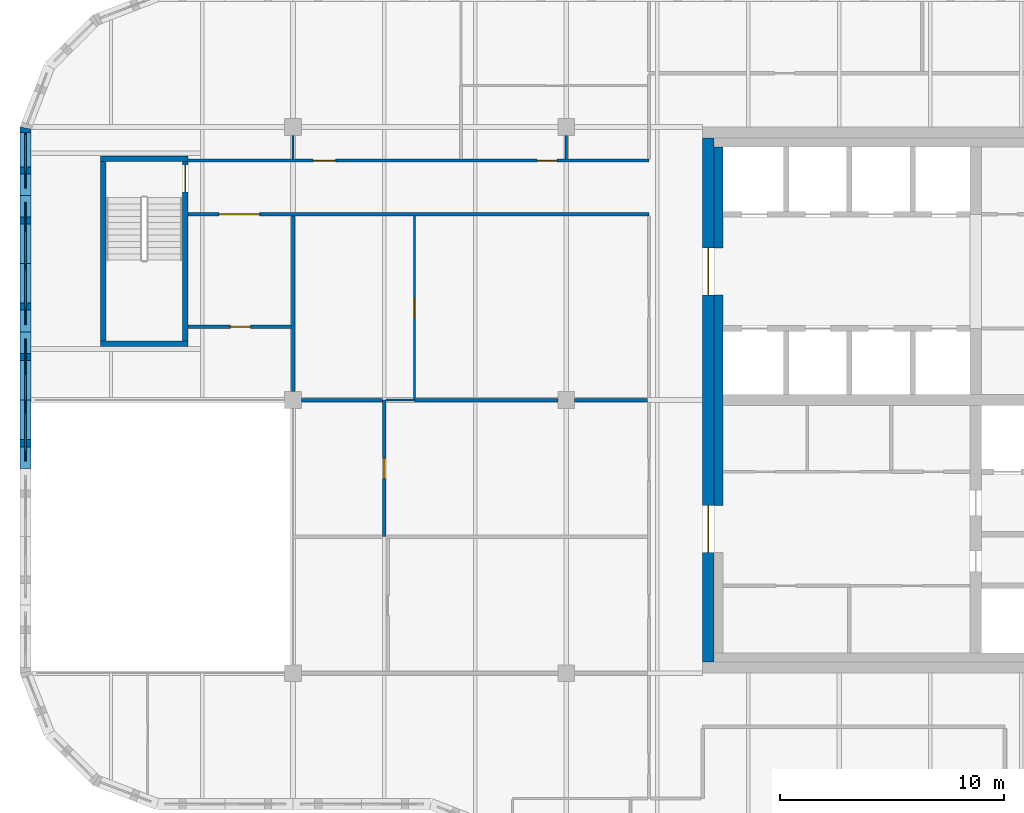
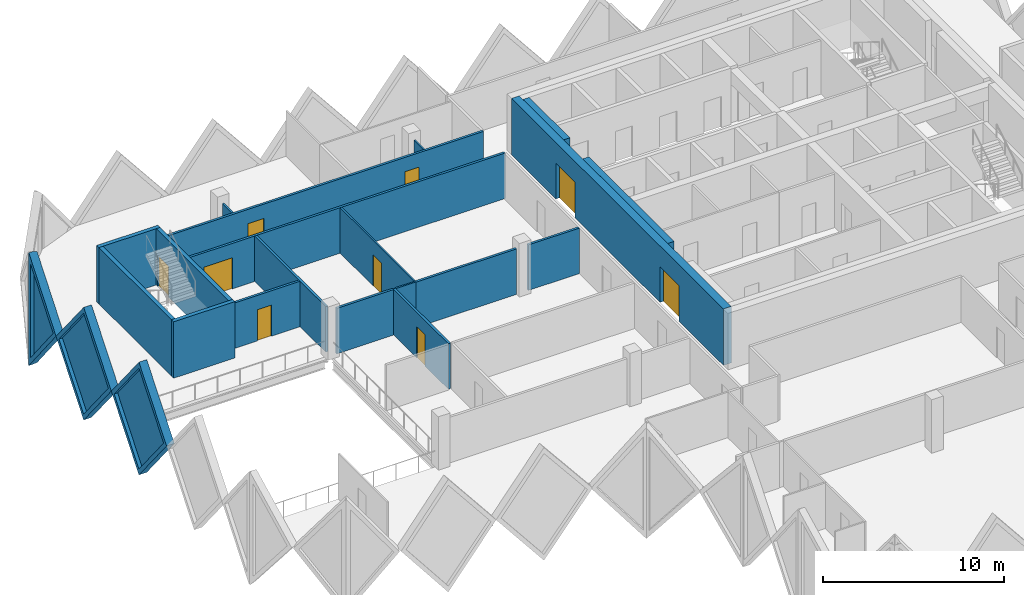
# One storey, part 7 of 12: 22 walls, 9 doors, 3 plates, 12 openings.
"""IFC4 building model written with IfcOpenShell, lengths in metres."""

from ifc_helpers import new_model, si_unit, direction, frame, frame_2d, origin, place, context, subcontext, project, spatial, polyline, rectangle, outline, extrude, faceted_brep, source, transform, mapped, material, layer, layer_set, type_object, element, fill, save


model = new_model("IFC4")

# Units and contexts
model_context = context("Model", 3, precision=1e-05, world=origin(), true_north=direction((0.0, 1.0)))
body_context = subcontext(model_context, "Body", "Model", "MODEL_VIEW")
ifc_project = project(units=[si_unit("LENGTHUNIT", "METRE"), si_unit("AREAUNIT", "SQUARE_METRE"), si_unit("VOLUMEUNIT", "CUBIC_METRE"), si_unit("PLANEANGLEUNIT", "RADIAN"), si_unit("MASSUNIT", "GRAM", prefix="KILO")], contexts=[model_context])

# Site, building, storey
site_placement = place(None, origin())
site = spatial("IfcSite", under=ifc_project, at=site_placement, CompositionType="ELEMENT")
building_placement = place(site_placement, origin())
building = spatial("IfcBuilding", under=site, at=building_placement, Name="Tessera Gate Towers", CompositionType="ELEMENT")
storey_placement = place(building_placement, frame((0.0, 0.0, 216.89990234375)))
storey = spatial("IfcBuildingStorey", under=building, at=storey_placement, Name="L54", CompositionType="ELEMENT", Elevation=216.89990234375)

# Walls
ifc_material_1 = material(Name="Concrete C40/50", Category="concrete")
ifc_layer_1 = layer(ifc_material_1, 0.25)
ifc_layer_set_1 = layer_set([ifc_layer_1], Name="CORE ENCLOSURE WALL 250")
wall_type_1 = type_object("IfcWallType", Name="CORE ENCLOSURE WALL 250", PredefinedType="SOLIDWALL", material=ifc_layer_set_1)
wall_1_placement = place(storey_placement, frame((7.5, 39.125, 0.0), z_axis=(0.0, 0.0, 1.0), x_axis=(-1.0, 0.0, 0.0)))
element("IfcWall", 1, at=wall_1_placement, inside=storey, type_object=wall_type_1, Name="L54 ST3 enclosure wall", PredefinedType="SOLIDWALL", context=body_context, shape_type="SweptSolid", body=[
    extrude(rectangle(XDim=3.89990234375, YDim=0.25, at=frame_2d((1.949951171875, 0.0))), origin(), (0.0, 0.0, 1.0), 3.800048828125),
])
wall_2_placement = place(storey_placement, frame((3.72509765625, 39.25, 0.0), z_axis=(0.0, 0.0, 1.0), x_axis=(0.0, 1.0, 0.0)))
element("IfcWall", 2, at=wall_2_placement, inside=storey, type_object=wall_type_1, Name="L54 ST3 enclosure wall", PredefinedType="SOLIDWALL", context=body_context, shape_type="SweptSolid", body=[
    extrude(rectangle(XDim=8.0, YDim=0.25, at=frame_2d((4.0, 0.0))), origin(), (0.0, 0.0, 1.0), 3.800048828125),
])
wall_3_placement = place(storey_placement, frame((3.60009765625, 47.375, 0.0), z_axis=(0.0, 0.0, 1.0), x_axis=(1.0, 0.0, 0.0)))
element("IfcWall", 3, at=wall_3_placement, inside=storey, type_object=wall_type_1, Name="L54 ST3 enclosure wall", PredefinedType="SOLIDWALL", context=body_context, shape_type="SweptSolid", body=[
    extrude(rectangle(XDim=3.89990234375, YDim=0.25, at=frame_2d((1.949951171875, 0.0))), origin(), (0.0, 0.0, 1.0), 3.800048828125),
])

# Wall, opening, door
wall_4_placement = place(storey_placement, frame((7.375, 47.25, 0.0), z_axis=(0.0, 0.0, 1.0), x_axis=(0.0, -1.0, 0.0)))
wall_4 = element("IfcWall", 4, at=wall_4_placement, inside=storey, type_object=wall_type_1, Name="L54 ST3 enclosure wall", PredefinedType="SOLIDWALL", context=body_context, shape_type="SweptSolid", body=[
    extrude(rectangle(XDim=8.0, YDim=0.25, at=frame_2d((4.0, 0.0))), origin(), (0.0, 0.0, 1.0), 3.800048828125),
])
shared_shape_1 = source(origin(), body_context, "Body", "SweptSolid", [
    extrude(rectangle(XDim=1.199951171875, YDim=2.10009765625, at=frame_2d((0.60009765625, 1.050048828125))), frame((0.0, 0.135009765625, 0.0), z_axis=(0.0, -1.0, 0.0), x_axis=(1.0, 0.0, 0.0)), (0.0, 0.0, 1.0), 0.27001953125),
])
opening_1_placement = place(wall_4_placement, frame((0.14990234375, 0.0, 0.0)))
opening_1 = element("IfcOpeningElement", 5, at=opening_1_placement, cuts=wall_4, Name="Opening SD-ST3-1", PredefinedType="OPENING", context=body_context, shape_type="MappedRepresentation", body=[
    mapped(shared_shape_1, transform((0.0, 0.0, 0.0), scale=1.0)),
])
ifc_material_2 = material(Name="Hollow steel fire door", Category="steel")
door_type_1 = type_object("IfcDoorType", Name="CORE DOOR SD 1200x2100", OperationType="NOTDEFINED", PredefinedType="DOOR", material=ifc_material_2)
shared_shape_2 = source(origin(), body_context, "Body", "SweptSolid", [
    extrude(rectangle(XDim=1.199951171875, YDim=2.10009765625, at=frame_2d((0.60009765625, 1.050048828125))), frame((0.0, 0.02490234375, 0.0), z_axis=(0.0, -1.0, 0.0), x_axis=(1.0, 0.0, 0.0)), (0.0, 0.0, 1.0), 0.050048828125),
])
door_1_placement = place(opening_1_placement, origin())
door_1 = element("IfcDoor", 6, at=door_1_placement, inside=storey, type_object=door_type_1, Name="Stair door", OperationType="SINGLE_SWING_LEFT", OverallHeight=2.10009765625, OverallWidth=1.199951171875, PredefinedType="DOOR", context=body_context, shape_type="MappedRepresentation", body=[
    mapped(shared_shape_2, transform((0.0, 0.0, 0.0), scale=1.0)),
])
fill(opening_1, door_1)

# Wall, openings, doors
ifc_material_3 = material(Name="Concrete C50/60", Category="concrete")
ifc_layer_2 = layer(ifc_material_3, 0.5)
ifc_layer_set_2 = layer_set([ifc_layer_2], Name="CORE SHEAR WALL 500 C50/60")
wall_type_2 = type_object("IfcWallType", Name="CORE SHEAR WALL 500 C50/60", PredefinedType="SHEAR", material=ifc_layer_set_2)
wall_5_placement = place(storey_placement, frame((30.75, 24.89990234375, 0.0), z_axis=(0.0, 0.0, 1.0), x_axis=(0.0, 1.0, 0.0)))
wall_5 = element("IfcWall", 7, at=wall_5_placement, inside=storey, type_object=wall_type_2, Name="Core wall W L54", PredefinedType="SHEAR", context=body_context, shape_type="SweptSolid", body=[
    extrude(rectangle(XDim=23.400146484375, YDim=0.5, at=frame_2d((11.7001953125, 0.0))), origin(), (0.0, 0.0, 1.0), 3.800048828125),
])
shared_shape_3 = source(origin(), body_context, "Body", "SweptSolid", [
    extrude(rectangle(XDim=2.10009765625, YDim=2.39990234375, at=frame_2d((1.050048828125, 1.199951171875))), frame((0.0, 0.260009765625, 0.0), z_axis=(0.0, -1.0, 0.0), x_axis=(1.0, 0.0, 0.0)), (0.0, 0.0, 1.0), 0.52001953125),
])
opening_2_placement = place(wall_5_placement, frame((4.89990234375, 0.0, 0.0)))
opening_2 = element("IfcOpeningElement", 8, at=opening_2_placement, cuts=wall_5, Name="Opening DD-T1-33-02", PredefinedType="OPENING", context=body_context, shape_type="MappedRepresentation", body=[
    mapped(shared_shape_3, transform((0.0, 0.0, 0.0), scale=1.0)),
])
opening_3_placement = place(wall_5_placement, frame((16.39990234375, 0.0, 0.0)))
opening_3 = element("IfcOpeningElement", 9, at=opening_3_placement, cuts=wall_5, Name="Opening DD-T1-33-03", PredefinedType="OPENING", context=body_context, shape_type="MappedRepresentation", body=[
    mapped(shared_shape_3, transform((0.0, 0.0, 0.0), scale=1.0)),
])
ifc_material_4 = material(Name="Hollow steel fire door", Category="steel")
door_type_2 = type_object("IfcDoorType", Name="CORE DOOR DD 2100x2400", OperationType="NOTDEFINED", PredefinedType="DOOR", material=ifc_material_4)
shared_shape_4 = source(origin(), body_context, "Body", "SweptSolid", [
    extrude(rectangle(XDim=2.10009765625, YDim=2.39990234375, at=frame_2d((1.050048828125, 1.199951171875))), frame((0.0, 0.02490234375, 0.0), z_axis=(0.0, -1.0, 0.0), x_axis=(1.0, 0.0, 0.0)), (0.0, 0.0, 1.0), 0.050048828125),
])
door_2_placement = place(opening_2_placement, origin())
door_2 = element("IfcDoor", 10, at=door_2_placement, inside=storey, type_object=door_type_2, Name="Core entrance door", OperationType="DOUBLE_DOOR_SINGLE_SWING", OverallHeight=2.39990234375, OverallWidth=2.10009765625, PredefinedType="DOOR", context=body_context, shape_type="MappedRepresentation", body=[
    mapped(shared_shape_4, transform((0.0, 0.0, 0.0), scale=1.0)),
])
fill(opening_2, door_2)
door_3_placement = place(opening_3_placement, origin())
door_3 = element("IfcDoor", 11, at=door_3_placement, inside=storey, type_object=door_type_2, Name="Core entrance door", OperationType="DOUBLE_DOOR_SINGLE_SWING", OverallHeight=2.39990234375, OverallWidth=2.10009765625, PredefinedType="DOOR", context=body_context, shape_type="MappedRepresentation", body=[
    mapped(shared_shape_4, transform((0.0, 0.0, 0.0), scale=1.0)),
])
fill(opening_3, door_3)

# Walls
ifc_material_5 = material(Name="Concrete C50/60", Category="concrete")
ifc_layer_3 = layer(ifc_material_5, 0.39990234375)
ifc_layer_set_3 = layer_set([ifc_layer_3], Name="CORE WALL THICKENING 400")
wall_type_3 = type_object("IfcWallType", Name="CORE WALL THICKENING 400", PredefinedType="SOLIDWALL", material=ifc_layer_set_3)
wall_6_placement = place(storey_placement, frame((31.199951171875, 31.89990234375, 0.0), z_axis=(0.0, 0.0, 1.0), x_axis=(0.0, 1.0, 0.0)))
element("IfcWall", 12, at=wall_6_placement, inside=storey, type_object=wall_type_3, Name="Core wall thickening W L54", PredefinedType="SOLIDWALL", context=body_context, shape_type="SweptSolid", body=[
    extrude(rectangle(XDim=9.400146484375, YDim=0.39990234375, at=frame_2d((4.7001953125, 0.0))), origin(), (0.0, 0.0, 1.0), 3.800048828125),
])
wall_7_placement = place(storey_placement, frame((31.199951171875, 43.39990234375, 0.0), z_axis=(0.0, 0.0, 1.0), x_axis=(0.0, 1.0, 0.0)))
element("IfcWall", 13, at=wall_7_placement, inside=storey, type_object=wall_type_3, Name="Core wall thickening W L54", PredefinedType="SOLIDWALL", context=body_context, shape_type="SweptSolid", body=[
    extrude(rectangle(XDim=4.5, YDim=0.39990234375, at=frame_2d((2.25, 0.0))), origin(), (0.0, 0.0, 1.0), 3.800048828125),
])

# Wall, opening, door
ifc_material_6 = material(Name="Gypsum board on steel studs, mineral wool", Category="steel")
ifc_layer_4 = layer(ifc_material_6, 0.14990234375)
ifc_layer_set_4 = layer_set([ifc_layer_4], Name="CORRIDOR WALL 150")
wall_type_4 = type_object("IfcWallType", Name="CORRIDOR WALL 150", PredefinedType="PARTITIONING", material=ifc_layer_set_4)
wall_8_placement = place(storey_placement, frame((28.10009765625, 44.89990234375, 0.0), z_axis=(0.0, 0.0, 1.0), x_axis=(-1.0, 0.0, 0.0)))
wall_8 = element("IfcWall", 14, at=wall_8_placement, inside=storey, type_object=wall_type_4, Name="T1-L54-PW-045", PredefinedType="PARTITIONING", context=body_context, shape_type="SweptSolid", body=[
    extrude(rectangle(XDim=20.60009765625, YDim=0.14990234375, at=frame_2d((10.300048828125, 0.0))), origin(), (0.0, 0.0, 1.0), 3.067138671875),
])
shared_shape_5 = source(origin(), body_context, "Body", "SweptSolid", [
    extrude(rectangle(XDim=1.800048828125, YDim=2.10009765625, at=frame_2d((0.89990234375, 1.050048828125))), frame((0.0, 0.0849609375, 0.0), z_axis=(0.0, -1.0, 0.0), x_axis=(1.0, 0.0, 0.0)), (0.0, 0.0, 1.0), 0.169921875),
])
opening_4_placement = place(wall_8_placement, frame((17.39990234375, 0.0, 0.0)))
opening_4 = element("IfcOpeningElement", 15, at=opening_4_placement, cuts=wall_8, Name="Opening D2180FD60-A19-01", PredefinedType="OPENING", context=body_context, shape_type="MappedRepresentation", body=[
    mapped(shared_shape_5, transform((0.0, 0.0, 0.0), scale=1.0)),
])
ifc_material_7 = material(Name="Timber door leaf in steel frame", Category="steel")
door_type_3 = type_object("IfcDoorType", Name="TENANCY ENTRANCE DOUBLE DOOR 1800 FD60", OperationType="NOTDEFINED", PredefinedType="DOOR", material=ifc_material_7)
shared_shape_6 = source(origin(), body_context, "Body", "SweptSolid", [
    extrude(rectangle(XDim=1.800048828125, YDim=2.10009765625, at=frame_2d((0.89990234375, 1.050048828125))), frame((0.0, 0.02490234375, 0.0), z_axis=(0.0, -1.0, 0.0), x_axis=(1.0, 0.0, 0.0)), (0.0, 0.0, 1.0), 0.050048828125),
])
door_4_placement = place(opening_4_placement, origin())
door_4 = element("IfcDoor", 16, at=door_4_placement, inside=storey, type_object=door_type_3, Name="T1-L54-PD-006", OperationType="DOUBLE_DOOR_SINGLE_SWING", OverallHeight=2.10009765625, OverallWidth=1.800048828125, PredefinedType="DOOR", context=body_context, shape_type="MappedRepresentation", body=[
    mapped(shared_shape_6, transform((0.0, 0.0, 0.0), scale=1.0)),
])
fill(opening_4, door_4)

# Wall, openings, doors
wall_9_placement = place(storey_placement, frame((7.5, 47.300048828125, 0.0), z_axis=(0.0, 0.0, 1.0), x_axis=(1.0, 0.0, 0.0)))
wall_9 = element("IfcWall", 17, at=wall_9_placement, inside=storey, type_object=wall_type_4, Name="T1-L54-PW-046", PredefinedType="PARTITIONING", context=body_context, shape_type="SweptSolid", body=[
    extrude(rectangle(XDim=20.60009765625, YDim=0.14990234375, at=frame_2d((10.300048828125, 0.0))), origin(), (0.0, 0.0, 1.0), 3.067138671875),
])
shared_shape_7 = source(origin(), body_context, "Body", "SweptSolid", [
    extrude(rectangle(XDim=0.89990234375, YDim=2.10009765625, at=frame_2d((0.449951171875, 1.050048828125))), frame((0.0, 0.0849609375, 0.0), z_axis=(0.0, -1.0, 0.0), x_axis=(1.0, 0.0, 0.0)), (0.0, 0.0, 1.0), 0.169921875),
])
opening_5_placement = place(wall_9_placement, frame((15.60107421875, 0.0, 0.0)))
opening_5 = element("IfcOpeningElement", 18, at=opening_5_placement, cuts=wall_9, Name="Opening D890FD60-A19-05", PredefinedType="OPENING", context=body_context, shape_type="MappedRepresentation", body=[
    mapped(shared_shape_7, transform((0.0, 0.0, 0.0), scale=1.0)),
])
shared_shape_8 = source(origin(), body_context, "Body", "SweptSolid", [
    extrude(rectangle(XDim=1.0, YDim=2.10009765625, at=frame_2d((0.5, 1.050048828125))), frame((0.0, 0.0849609375, 0.0), z_axis=(0.0, -1.0, 0.0), x_axis=(1.0, 0.0, 0.0)), (0.0, 0.0, 1.0), 0.169921875),
])
opening_6_placement = place(wall_9_placement, frame((5.60009765625, 0.0, 0.0)))
opening_6 = element("IfcOpeningElement", 19, at=opening_6_placement, cuts=wall_9, Name="Opening D2100FD60-A19-03", PredefinedType="OPENING", context=body_context, shape_type="MappedRepresentation", body=[
    mapped(shared_shape_8, transform((0.0, 0.0, 0.0), scale=1.0)),
])
ifc_material_8 = material(Name="Timber door leaf in steel frame", Category="steel")
door_type_4 = type_object("IfcDoorType", Name="CORRIDOR DOOR 900 FD60", OperationType="NOTDEFINED", PredefinedType="DOOR", material=ifc_material_8)
shared_shape_9 = source(origin(), body_context, "Body", "SweptSolid", [
    extrude(rectangle(XDim=0.89990234375, YDim=2.10009765625, at=frame_2d((0.449951171875, 1.050048828125))), frame((0.0, 0.02490234375, 0.0), z_axis=(0.0, -1.0, 0.0), x_axis=(1.0, 0.0, 0.0)), (0.0, 0.0, 1.0), 0.050048828125),
])
door_5_placement = place(opening_5_placement, origin())
door_5 = element("IfcDoor", 20, at=door_5_placement, inside=storey, type_object=door_type_4, Name="T1-L54-PD-020", OperationType="SINGLE_SWING_RIGHT", OverallHeight=2.10009765625, OverallWidth=0.89990234375, PredefinedType="DOOR", context=body_context, shape_type="MappedRepresentation", body=[
    mapped(shared_shape_9, transform((0.0, 0.0, 0.0), scale=1.0)),
])
fill(opening_5, door_5)
ifc_material_9 = material(Name="Timber door leaf in steel frame", Category="steel")
door_type_5 = type_object("IfcDoorType", Name="TENANCY ENTRANCE DOOR 1000 FD60", OperationType="NOTDEFINED", PredefinedType="DOOR", material=ifc_material_9)
shared_shape_10 = source(origin(), body_context, "Body", "SweptSolid", [
    extrude(rectangle(XDim=1.0, YDim=2.10009765625, at=frame_2d((0.5, 1.050048828125))), frame((0.0, 0.02490234375, 0.0), z_axis=(0.0, -1.0, 0.0), x_axis=(1.0, 0.0, 0.0)), (0.0, 0.0, 1.0), 0.050048828125),
])
door_6_placement = place(opening_6_placement, origin())
door_6 = element("IfcDoor", 21, at=door_6_placement, inside=storey, type_object=door_type_5, Name="T1-L54-PD-025", OperationType="SINGLE_SWING_LEFT", OverallHeight=2.10009765625, OverallWidth=1.0, PredefinedType="DOOR", context=body_context, shape_type="MappedRepresentation", body=[
    mapped(shared_shape_10, transform((0.0, 0.0, 0.0), scale=1.0)),
])
fill(opening_6, door_6)

# Wall
ifc_material_10 = material(Name="Glass", Category="glass")
ifc_layer_5 = layer(ifc_material_10, 0.10009765625)
ifc_layer_set_5 = layer_set([ifc_layer_5], Name="GLAZED PARTITION 100")
wall_type_5 = type_object("IfcWallType", Name="GLAZED PARTITION 100", PredefinedType="PARTITIONING", material=ifc_layer_set_5)
wall_10_placement = place(storey_placement, frame((16.35107421875, 36.60009765625, 0.0), z_axis=(0.0, 0.0, 1.0), x_axis=(1.0, 0.0, 0.0)))
element("IfcWall", 22, at=wall_10_placement, inside=storey, type_object=wall_type_5, Name="T1-L54-PW-039", PredefinedType="PARTITIONING", context=body_context, shape_type="SweptSolid", body=[
    extrude(rectangle(XDim=1.27294921875, YDim=0.10009765625, at=frame_2d((0.636474609375, 0.0))), origin(), (0.0, 0.0, 1.0), 3.067138671875),
])

# Wall, opening, door
wall_11_placement = place(storey_placement, frame((17.625, 36.676025390625, 0.0), z_axis=(0.0, 0.0, 1.0), x_axis=(0.0, 1.0, 0.0)))
wall_11 = element("IfcWall", 23, at=wall_11_placement, inside=storey, type_object=wall_type_5, Name="T1-L54-PW-042", PredefinedType="PARTITIONING", context=body_context, shape_type="SweptSolid", body=[
    extrude(rectangle(XDim=8.14794921875, YDim=0.10009765625, at=frame_2d((4.073974609375, 0.0))), origin(), (0.0, 0.0, 1.0), 3.067138671875),
])
shared_shape_11 = source(origin(), body_context, "Body", "SweptSolid", [
    extrude(rectangle(XDim=0.89990234375, YDim=2.10009765625, at=frame_2d((0.449951171875, 1.050048828125))), frame((0.0, 0.06005859375, 0.0), z_axis=(0.0, -1.0, 0.0), x_axis=(1.0, 0.0, 0.0)), (0.0, 0.0, 1.0), 0.1201171875),
])
opening_7_placement = place(wall_11_placement, frame((3.60009765625, 0.0, 0.0)))
opening_7 = element("IfcOpeningElement", 24, at=opening_7_placement, cuts=wall_11, Name="Opening D690-A19-06", PredefinedType="OPENING", context=body_context, shape_type="MappedRepresentation", body=[
    mapped(shared_shape_11, transform((0.0, 0.0, 0.0), scale=1.0)),
])
ifc_material_11 = material(Name="Glass in aluminium frame", Category="aluminium")
door_type_6 = type_object("IfcDoorType", Name="GLAZED DOOR 900 NOT RATED", OperationType="NOTDEFINED", PredefinedType="DOOR", material=ifc_material_11)
door_7_placement = place(opening_7_placement, origin())
door_7 = element("IfcDoor", 25, at=door_7_placement, inside=storey, type_object=door_type_6, Name="T1-L54-PD-017", OperationType="SINGLE_SWING_LEFT", OverallHeight=2.10009765625, OverallWidth=0.89990234375, PredefinedType="DOOR", context=body_context, shape_type="MappedRepresentation", body=[
    mapped(shared_shape_9, transform((0.0, 0.0, 0.0), scale=1.0)),
])
fill(opening_7, door_7)

# Walls
ifc_material_12 = material(Name="Gypsum board on steel studs", Category="steel")
ifc_layer_6 = layer(ifc_material_12, 0.10009765625)
ifc_layer_set_6 = layer_set([ifc_layer_6], Name="PARTITION 100")
wall_type_6 = type_object("IfcWallType", Name="PARTITION 100", PredefinedType="PARTITIONING", material=ifc_layer_set_6)
for number, where, z_axis, x_axis, name in (
    (26, (12.199951171875, 48.425048828125, 0.0), (0.0, 0.0, 1.0), (0.0, -1.0, 0.0), "T1-L54-PW-049"),
    (27, (24.39990234375, 48.425048828125, 0.0), (0.0, 0.0, 1.0), (0.0, -1.0, 0.0), "T1-L54-PW-050"),
):
    element("IfcWall", number, at=place(storey_placement, frame(where, z_axis=z_axis, x_axis=x_axis)), inside=storey, type_object=wall_type_6, Name=name, PredefinedType="PARTITIONING", context=body_context, shape_type="SweptSolid", body=[
        extrude(rectangle(XDim=1.050048828125, YDim=0.10009765625, at=frame_2d((0.52490234375, 0.0))), origin(), (0.0, 0.0, 1.0), 3.067138671875),
    ])

# Wall, opening, door
ifc_material_13 = material(Name="Gypsum board on steel studs, mineral wool", Category="steel")
ifc_layer_7 = layer(ifc_material_13, 0.14990234375)
ifc_layer_set_7 = layer_set([ifc_layer_7], Name="TENANCY WALL 150")
wall_type_7 = type_object("IfcWallType", Name="TENANCY WALL 150", PredefinedType="PARTITIONING", material=ifc_layer_set_7)
wall_12_placement = place(storey_placement, frame((16.27490234375, 30.5, 0.0), z_axis=(0.0, 0.0, 1.0), x_axis=(0.0, 1.0, 0.0)))
wall_12 = element("IfcWall", 28, at=wall_12_placement, inside=storey, type_object=wall_type_7, Name="T1-L54-PW-036", PredefinedType="PARTITIONING", context=body_context, shape_type="SweptSolid", body=[
    extrude(rectangle(XDim=6.10009765625, YDim=0.14990234375, at=frame_2d((3.050048828125, 0.0))), origin(), (0.0, 0.0, 1.0), 3.067138671875),
])
opening_8_placement = place(wall_12_placement, frame((2.60009765625, 0.0, 0.0)))
opening_8 = element("IfcOpeningElement", 29, at=opening_8_placement, cuts=wall_12, Name="Opening D190-A19-05", PredefinedType="OPENING", context=body_context, shape_type="MappedRepresentation", body=[
    mapped(shared_shape_7, transform((0.0, 0.0, 0.0), scale=1.0)),
])
ifc_material_14 = material(Name="Timber door leaf in steel frame", Category="steel")
door_type_7 = type_object("IfcDoorType", Name="INTERNAL DOOR 900 NOT RATED", OperationType="NOTDEFINED", PredefinedType="DOOR", material=ifc_material_14)
door_8_placement = place(opening_8_placement, origin())
door_8 = element("IfcDoor", 30, at=door_8_placement, inside=storey, type_object=door_type_7, Name="T1-L54-PD-014", OperationType="SINGLE_SWING_LEFT", OverallHeight=2.10009765625, OverallWidth=0.89990234375, PredefinedType="DOOR", context=body_context, shape_type="MappedRepresentation", body=[
    mapped(shared_shape_9, transform((0.0, 0.0, 0.0), scale=1.0)),
])
fill(opening_8, door_8)

# Walls
wall_13_placement = place(storey_placement, frame((12.575927734375, 36.60009765625, 0.0), z_axis=(0.0, 0.0, 1.0), x_axis=(1.0, 0.0, 0.0)))
element("IfcWall", 31, at=wall_13_placement, inside=storey, type_object=wall_type_7, Name="T1-L54-PW-038", PredefinedType="PARTITIONING", context=body_context, shape_type="SweptSolid", body=[
    extrude(rectangle(XDim=3.623046875, YDim=0.14990234375, at=frame_2d((1.8115234375, 0.0))), origin(), (0.0, 0.0, 1.0), 3.067138671875),
])
wall_14_placement = place(storey_placement, frame((17.625, 36.60009765625, 0.0), z_axis=(0.0, 0.0, 1.0), x_axis=(1.0, 0.0, 0.0)))
element("IfcWall", 32, at=wall_14_placement, inside=storey, type_object=wall_type_7, Name="T1-L54-PW-040", PredefinedType="PARTITIONING", context=body_context, shape_type="SweptSolid", body=[
    extrude(rectangle(XDim=6.39892578125, YDim=0.14990234375, at=frame_2d((3.199462890625, 0.0))), origin(), (0.0, 0.0, 1.0), 3.067138671875),
])
wall_15_placement = place(storey_placement, frame((24.77587890625, 36.60009765625, 0.0), z_axis=(0.0, 0.0, 1.0), x_axis=(1.0, 0.0, 0.0)))
element("IfcWall", 33, at=wall_15_placement, inside=storey, type_object=wall_type_7, Name="T1-L54-PW-041", PredefinedType="PARTITIONING", context=body_context, shape_type="SweptSolid", body=[
    extrude(rectangle(XDim=3.248046875, YDim=0.14990234375, at=frame_2d((1.6240234375, 0.0))), origin(), (0.0, 0.0, 1.0), 3.067138671875),
])
wall_16_placement = place(storey_placement, frame((12.199951171875, 36.97607421875, 0.0), z_axis=(0.0, 0.0, 1.0), x_axis=(0.0, 1.0, 0.0)))
element("IfcWall", 34, at=wall_16_placement, inside=storey, type_object=wall_type_7, Name="T1-L54-PW-043", PredefinedType="PARTITIONING", context=body_context, shape_type="SweptSolid", body=[
    extrude(rectangle(XDim=7.847900390625, YDim=0.14990234375, at=frame_2d((3.923828125, 0.0))), origin(), (0.0, 0.0, 1.0), 3.067138671875),
])

# Wall, opening, door
wall_17_placement = place(storey_placement, frame((12.1240234375, 39.875, 0.0), z_axis=(0.0, 0.0, 1.0), x_axis=(-1.0, 0.0, 0.0)))
wall_17 = element("IfcWall", 35, at=wall_17_placement, inside=storey, type_object=wall_type_7, Name="T1-L54-PW-044", PredefinedType="PARTITIONING", context=body_context, shape_type="SweptSolid", body=[
    extrude(rectangle(XDim=4.6240234375, YDim=0.14990234375, at=frame_2d((2.31201171875, 0.0))), origin(), (0.0, 0.0, 1.0), 3.067138671875),
])
opening_9_placement = place(wall_17_placement, frame((1.823974609375, 0.0, 0.0)))
opening_9 = element("IfcOpeningElement", 36, at=opening_9_placement, cuts=wall_17, Name="Opening D190-A19-03", PredefinedType="OPENING", context=body_context, shape_type="MappedRepresentation", body=[
    mapped(shared_shape_7, transform((0.0, 0.0, 0.0), scale=1.0)),
])
door_9_placement = place(opening_9_placement, origin())
door_9 = element("IfcDoor", 37, at=door_9_placement, inside=storey, type_object=door_type_7, Name="T1-L54-PD-005", OperationType="SINGLE_SWING_RIGHT", OverallHeight=2.10009765625, OverallWidth=0.89990234375, PredefinedType="DOOR", context=body_context, shape_type="MappedRepresentation", body=[
    mapped(shared_shape_9, transform((0.0, 0.0, 0.0), scale=1.0)),
])
fill(opening_9, door_9)

# Wall, opening, plate
ifc_material_15 = material(Name="Precast concrete C60/75 white", Category="concrete")
ifc_layer_8 = layer(ifc_material_15, 0.5)
ifc_layer_set_8 = layer_set([ifc_layer_8], Name="TS3 corner tessera")
wall_type_8 = type_object("IfcWallType", Name="TS3 corner tessera", PredefinedType="SOLIDWALL", material=ifc_layer_set_8)
shared_shape_12 = source(origin(), body_context, "Body", "Brep", [
    faceted_brep([(0.046630859375, -0.25, 0.0), (3.050048828125, -0.25, 3.7998046875), (0.046630859375, -0.25, 7.599853515625), (0.0, -0.25, 7.539794921875), (0.0, -0.25, 0.06005859375), (0.09326171875, 0.25, 7.541015625), (3.050048828125, 0.25, 3.7998046875), (0.09326171875, 0.25, 0.058837890625), (0.046630859375, 0.0, 0.0), (0.046630859375, 0.0, 7.599853515625)], [[[0, 1, 2, 3, 4]], [[5, 6, 7]], [[7, 6, 1, 0, 8]], [[6, 5, 9, 2, 1]], [[3, 2, 9]], [[8, 0, 4]], [[7, 8, 4, 3, 9, 5]]]),
])
wall_18_placement = place(storey_placement, frame((0.25, 48.800048828125, -3.7998046875), z_axis=(0.0, 0.0, 1.0), x_axis=(0.0, -1.0, 0.0)))
wall_18 = element("IfcWall", 38, at=wall_18_placement, inside=storey, type_object=wall_type_8, Name="Precast corner tessera T1 TS3-1260", PredefinedType="SOLIDWALL", context=body_context, shape_type="MappedRepresentation", body=[
    mapped(shared_shape_12, transform((0.0, 0.0, 0.0), scale=1.0)),
])
shared_shape_13 = source(origin(), body_context, "Body", "SweptSolid", [
    extrude(outline(polyline([(0.24658203125, 0.656005859375), (2.7314453125, 3.7998046875), (0.24658203125, 6.943603515625), (0.24658203125, 0.656005859375)])), frame((0.0, 0.260009765625, 0.0), z_axis=(0.0, -1.0, 0.0), x_axis=(1.0, 0.0, 0.0)), (0.0, 0.0, 1.0), 0.52001953125),
])
opening_10_placement = place(wall_18_placement, origin())
opening_10 = element("IfcOpeningElement", 39, at=opening_10_placement, cuts=wall_18, Name="Opening T1-PL2-1956", PredefinedType="OPENING", context=body_context, shape_type="MappedRepresentation", body=[
    mapped(shared_shape_13, transform((0.0, 0.0, 0.0), scale=1.0)),
])
ifc_material_16 = material(Name="Low-e laminated glass", Category="glass")
ifc_layer_9 = layer(ifc_material_16, 0.06005859375)
ifc_layer_set_9 = layer_set([ifc_layer_9], Name="PL2 rhombic pane")
plate_type = type_object("IfcPlateType", Name="PL2 rhombic pane", PredefinedType="SHEET", material=ifc_layer_set_9)
shared_shape_14 = source(origin(), body_context, "Body", "SweptSolid", [
    extrude(outline(polyline([(0.24658203125, 0.656005859375), (2.7314453125, 3.7998046875), (0.24658203125, 6.943603515625), (0.24658203125, 0.656005859375)])), frame((0.0, 0.030029296875, 0.0), z_axis=(0.0, -1.0, 0.0), x_axis=(1.0, 0.0, 0.0)), (0.0, 0.0, 1.0), 0.06005859375),
])
plate_1_placement = place(opening_10_placement, origin())
plate_1 = element("IfcPlate", 40, at=plate_1_placement, inside=storey, type_object=plate_type, Name="Glass pane T1 PL2-1956", PredefinedType="SHEET", context=body_context, shape_type="MappedRepresentation", body=[
    mapped(shared_shape_14, transform((0.0, 0.0, 0.0), scale=1.0)),
])
fill(opening_10, plate_1)

ifc_material_17 = material(Name="Precast concrete C60/75 white", Category="concrete")
ifc_layer_10 = layer(ifc_material_17, 0.5)
ifc_layer_set_10 = layer_set([ifc_layer_10], Name="TS1 tessera")
wall_type_9 = type_object("IfcWallType", Name="TS1 tessera", PredefinedType="SOLIDWALL", material=ifc_layer_set_10)
shared_shape_15 = source(origin(), body_context, "Body", "Brep", [
    faceted_brep([(3.050048828125, -0.25, 0.0), (6.099853515625, -0.25, 3.799560546875), (6.099853515625, -0.25, 3.800048828125), (3.050048828125, -0.25, 7.599853515625), (0.0, -0.25, 3.7998046875), (0.0, 0.25, 3.7998046875), (3.050048828125, 0.25, 7.599853515625), (6.099853515625, 0.25, 3.800048828125), (6.099853515625, 0.25, 3.799560546875), (3.050048828125, 0.25, 0.0)], [[[0, 1, 2, 3, 4]], [[5, 6, 7, 8, 9]], [[9, 8, 1, 0]], [[7, 6, 3, 2]], [[6, 5, 4, 3]], [[5, 9, 0, 4]], [[1, 8, 7, 2]]]),
])
wall_19_placement = place(storey_placement, frame((0.25, 39.64990234375, -3.7998046875), z_axis=(0.0, 0.0, 1.0), x_axis=(0.0, -1.0, 0.0)))
wall_19 = element("IfcWall", 41, at=wall_19_placement, inside=storey, type_object=wall_type_9, Name="Precast tessera T1 TS1-0962", PredefinedType="SOLIDWALL", context=body_context, shape_type="MappedRepresentation", body=[
    mapped(shared_shape_15, transform((0.0, 0.0, 0.0), scale=1.0)),
])
shared_shape_16 = source(origin(), body_context, "Body", "SweptSolid", [
    extrude(outline(polyline([(3.050048828125, 0.3994140625), (5.779541015625, 3.7998046875), (3.050048828125, 7.200439453125), (0.320556640625, 3.7998046875), (3.050048828125, 0.3994140625)])), frame((0.0, 0.260009765625, 0.0), z_axis=(0.0, -1.0, 0.0), x_axis=(1.0, 0.0, 0.0)), (0.0, 0.0, 1.0), 0.52001953125),
])
opening_11_placement = place(wall_19_placement, origin())
opening_11 = element("IfcOpeningElement", 42, at=opening_11_placement, cuts=wall_19, Name="Opening T1-PL2-1958", PredefinedType="OPENING", context=body_context, shape_type="MappedRepresentation", body=[
    mapped(shared_shape_16, transform((0.0, 0.0, 0.0), scale=1.0)),
])
shared_shape_17 = source(origin(), body_context, "Body", "SweptSolid", [
    extrude(outline(polyline([(3.050048828125, 0.3994140625), (5.779541015625, 3.7998046875), (3.050048828125, 7.200439453125), (0.320556640625, 3.7998046875), (3.050048828125, 0.3994140625)])), frame((0.0, 0.030029296875, 0.0), z_axis=(0.0, -1.0, 0.0), x_axis=(1.0, 0.0, 0.0)), (0.0, 0.0, 1.0), 0.06005859375),
])
plate_2_placement = place(opening_11_placement, origin())
plate_2 = element("IfcPlate", 43, at=plate_2_placement, inside=storey, type_object=plate_type, Name="Glass pane T1 PL2-1958", PredefinedType="SHEET", context=body_context, shape_type="MappedRepresentation", body=[
    mapped(shared_shape_17, transform((0.0, 0.0, 0.0), scale=1.0)),
])
fill(opening_11, plate_2)

shared_shape_18 = source(origin(), body_context, "Body", "SweptSolid", [
    extrude(outline(polyline([(3.050048828125, 0.0), (6.10009765625, 3.7998046875), (3.050048828125, 7.599853515625), (0.0, 3.7998046875), (3.050048828125, 0.0)])), frame((0.0, 0.25, 0.0), z_axis=(0.0, -1.0, 0.0), x_axis=(1.0, 0.0, 0.0)), (0.0, 0.0, 1.0), 0.5),
])
wall_20_placement = place(storey_placement, frame((0.25, 45.75, -3.7998046875), z_axis=(0.0, 0.0, 1.0), x_axis=(0.0, -1.0, 0.0)))
wall_20 = element("IfcWall", 44, at=wall_20_placement, inside=storey, type_object=wall_type_9, Name="Precast tessera T1 TS1-0961", PredefinedType="SOLIDWALL", context=body_context, shape_type="MappedRepresentation", body=[
    mapped(shared_shape_18, transform((0.0, 0.0, 0.0), scale=1.0)),
])
opening_12_placement = place(wall_20_placement, origin())
opening_12 = element("IfcOpeningElement", 45, at=opening_12_placement, cuts=wall_20, Name="Opening T1-PL2-1957", PredefinedType="OPENING", context=body_context, shape_type="MappedRepresentation", body=[
    mapped(shared_shape_16, transform((0.0, 0.0, 0.0), scale=1.0)),
])
plate_3_placement = place(opening_12_placement, origin())
plate_3 = element("IfcPlate", 46, at=plate_3_placement, inside=storey, type_object=plate_type, Name="Glass pane T1 PL2-1957", PredefinedType="SHEET", context=body_context, shape_type="MappedRepresentation", body=[
    mapped(shared_shape_17, transform((0.0, 0.0, 0.0), scale=1.0)),
])
fill(opening_12, plate_3)

save(model, "model.ifc")
